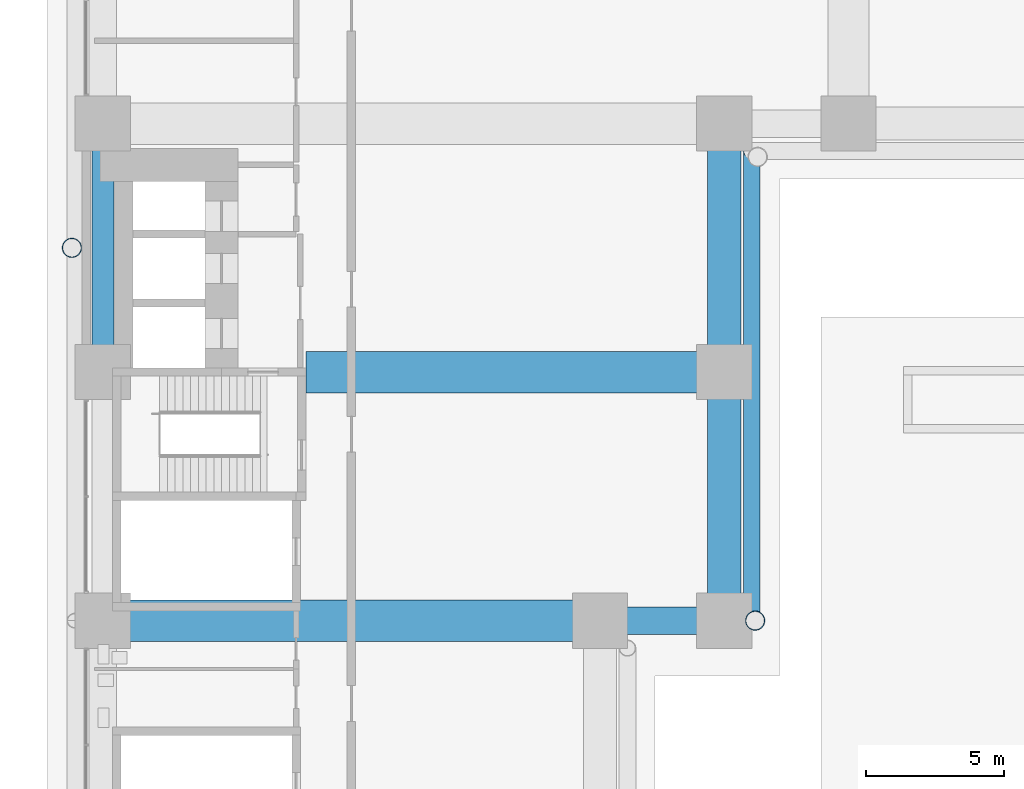
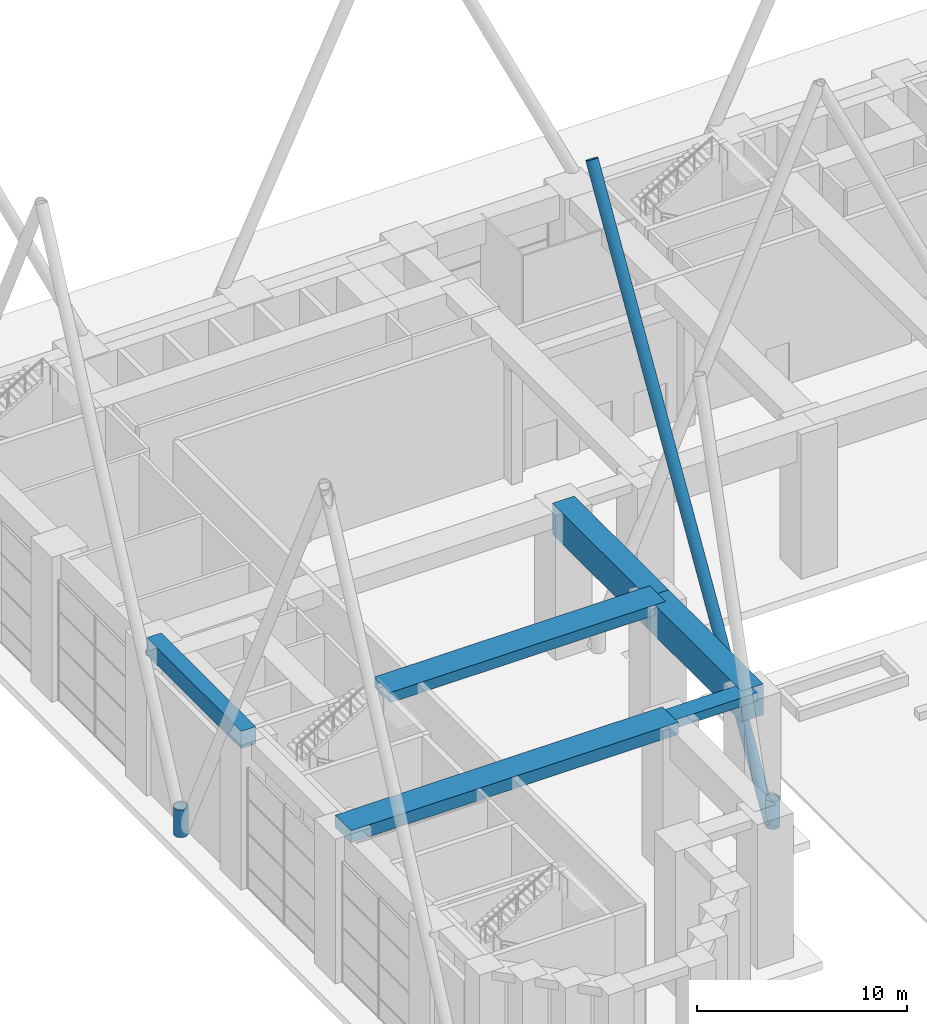
# One storey, part 6 of 44: 6 beams, 3 members.
"""IFC4 building model written with IfcOpenShell, lengths in metres."""

from ifc_helpers import new_model, si_unit, direction, frame, origin, origin_2d, place, context, subcontext, project, spatial, rectangle, hollow_circle, extrude, material, material_profile, profile_set, type_object, element, save


model = new_model("IFC4")

# Units and contexts
model_context = context("Model", 3, precision=1e-05, world=origin(), true_north=direction((0.0, 1.0)))
body_context = subcontext(model_context, "Body", "Model", "MODEL_VIEW")
ifc_project = project(units=[si_unit("LENGTHUNIT", "METRE"), si_unit("AREAUNIT", "SQUARE_METRE"), si_unit("VOLUMEUNIT", "CUBIC_METRE"), si_unit("PLANEANGLEUNIT", "RADIAN"), si_unit("MASSUNIT", "GRAM", prefix="KILO")], contexts=[model_context])

# Site, building, storey
site_placement = place(None, origin())
site = spatial("IfcSite", under=ifc_project, at=site_placement, CompositionType="ELEMENT")
building_placement = place(site_placement, origin())
building = spatial("IfcBuilding", under=site, at=building_placement, Name="Firuza Court", CompositionType="ELEMENT")
storey_placement = place(building_placement, origin())
storey = spatial("IfcBuildingStorey", under=building, at=storey_placement, Name="L00", CompositionType="ELEMENT", Elevation=0.0)

# Beams
ifc_material_1 = material(Name="Concrete C40/50", Category="concrete")
ifc_material_profile_1 = material_profile(ifc_material_1, rectangle(XDim=1.5, YDim=0.60009765625, at=origin_2d()), Name="RC 1500x600")
ifc_profile_set_1 = profile_set([ifc_material_profile_1], Name="Concrete C40/50")
beam_type_1 = type_object("IfcBeamType", Name="Band beam RC 1500x600 C40/50", PredefinedType="BEAM", material=ifc_profile_set_1)
beam_1_placement = place(storey_placement, frame((22.5, 27.0, 8.10009765625), z_axis=(-1.0, 0.0, 0.0), x_axis=(0.0, -1.0, 0.0)))
element("IfcBeam", 1, at=beam_1_placement, inside=storey, type_object=beam_type_1, Name="Band beam FB3 level L01", PredefinedType="BEAM", context=body_context, shape_type="SweptSolid", body=[
    extrude(rectangle(XDim=1.5, YDim=0.60009765625, at=origin_2d()), origin(), (0.0, 0.0, 1.0), 15.14990234375),
])
ifc_material_2 = material(Name="Concrete C40/50", Category="concrete")
ifc_material_profile_2 = material_profile(ifc_material_2, rectangle(XDim=1.5, YDim=0.699951171875, at=origin_2d()), Name="RC 1500x700")
ifc_profile_set_2 = profile_set([ifc_material_profile_2], Name="Concrete C40/50")
beam_type_2 = type_object("IfcBeamType", Name="Band beam RC 1500x700 C40/50", PredefinedType="BEAM", material=ifc_profile_set_2)
beam_2_placement = place(storey_placement, frame((0.0, 18.0, 8.050048828125), z_axis=(1.0, 0.0, 0.0), x_axis=(0.0, 1.0, 0.0)))
element("IfcBeam", 2, at=beam_2_placement, inside=storey, type_object=beam_type_2, Name="Band beam FB1 level L01", PredefinedType="BEAM", context=body_context, shape_type="SweptSolid", body=[
    extrude(rectangle(XDim=1.5, YDim=0.699951171875, at=origin_2d()), origin(), (0.0, 0.0, 1.0), 18.0),
])

# Members
ifc_material_3 = material(Name="Steel S355", Category="steel")
ifc_material_profile_3 = material_profile(ifc_material_3, hollow_circle(Radius=0.304931640625, WallThickness=0.02490234375, at=origin_2d()), Name="CHS 610x25")
ifc_profile_set_3 = profile_set([ifc_material_profile_3], Name="Steel S355")
member_type_1 = type_object("IfcMemberType", Name="Diagrid diagonal CHS 610x25 S355", PredefinedType="USERDEFINED", material=ifc_profile_set_3)
member_placement = place(storey_placement, frame((23.4951171875, 18.0, 0.1630859375), z_axis=(0.0, 0.51522549255, 0.857054660933), x_axis=(-1.0, 0.0, 0.0)))
element("IfcMember", 3, at=member_placement, inside=storey, type_object=member_type_1, Name="Diagrid diagonal L00 to L05", ObjectType="DIAGRID", PredefinedType="USERDEFINED", context=body_context, shape_type="SweptSolid", body=[
    extrude(hollow_circle(Radius=0.304931640625, WallThickness=0.02490234375, at=origin_2d()), origin(), (0.0, 0.0, 1.0), 33.004638671875),
])
ifc_material_4 = material(Name="Steel S355", Category="steel")
ifc_material_profile_4 = material_profile(ifc_material_4, hollow_circle(Radius=0.35546875, WallThickness=0.030029296875, at=origin_2d()), Name="CHS 711x30")
ifc_profile_set_4 = profile_set([ifc_material_profile_4], Name="Steel S355")
member_type_2 = type_object("IfcMemberType", Name="Diagrid node CHS 711x30 S355", PredefinedType="USERDEFINED", material=ifc_profile_set_4)
for number, where, z_axis, x_axis, name in (
    (4, (-1.1201171875, 31.5, 0.0), (0.0, 0.0, 1.0), (1.0, 0.0, 0.0), "Diagrid node level L00"),
    (5, (23.6201171875, 18.0, 0.0), (0.0, 0.0, 1.0), (1.0, 0.0, 0.0), "Diagrid node level L00"),
):
    element("IfcMember", number, at=place(storey_placement, frame(where, z_axis=z_axis, x_axis=x_axis)), inside=storey, type_object=member_type_2, Name=name, ObjectType="DIAGRID NODE", PredefinedType="USERDEFINED", context=body_context, shape_type="SweptSolid", body=[
        extrude(hollow_circle(Radius=0.35546875, WallThickness=0.030029296875, at=origin_2d()), origin(), (0.0, 0.0, 1.0), 1.60009765625),
    ])

# Beams
ifc_material_5 = material(Name="Concrete C40/50", Category="concrete")
ifc_material_profile_5 = material_profile(ifc_material_5, rectangle(XDim=1.0, YDim=0.5, at=origin_2d()), Name="RC 1000x500")
ifc_profile_set_5 = profile_set([ifc_material_profile_5], Name="Concrete C40/50")
beam_type_3 = type_object("IfcBeamType", Name="Spandrel beam RC 1000x500 C40/50", PredefinedType="BEAM", material=ifc_profile_set_5)
beam_3_placement = place(storey_placement, frame((18.0, 18.0, 8.14990234375), z_axis=(1.0, 0.0, 0.0), x_axis=(0.0, 1.0, 0.0)))
element("IfcBeam", 6, at=beam_3_placement, inside=storey, type_object=beam_type_3, Name="Spandrel beam SP7 level L01", PredefinedType="BEAM", context=body_context, shape_type="SweptSolid", body=[
    extrude(rectangle(XDim=1.0, YDim=0.5, at=origin_2d()), origin(), (0.0, 0.0, 1.0), 4.5),
])
ifc_material_6 = material(Name="Concrete C60/75", Category="concrete")
ifc_material_profile_6 = material_profile(ifc_material_6, rectangle(XDim=1.199951171875, YDim=1.800048828125, at=origin_2d()), Name="RC 1200x1800")
ifc_profile_set_6 = profile_set([ifc_material_profile_6], Name="Concrete C60/75")
beam_type_4 = type_object("IfcBeamType", Name="Transfer girder RC 1200x1800 C60/75", PredefinedType="USERDEFINED", material=ifc_profile_set_6)
for number, where, z_axis, x_axis, name in (
    (7, (22.5, 18.0, 7.5), (0.0, 1.0, 0.0), (-1.0, 0.0, 0.0), "Transfer girder TG3 level L01"),
    (8, (22.5, 27.0, 7.5), (0.0, 1.0, 0.0), (-1.0, 0.0, 0.0), "Transfer girder TG3 level L01"),
):
    element("IfcBeam", number, at=place(storey_placement, frame(where, z_axis=z_axis, x_axis=x_axis)), inside=storey, type_object=beam_type_4, Name=name, ObjectType="TRANSFER GIRDER", PredefinedType="USERDEFINED", context=body_context, shape_type="SweptSolid", body=[
        extrude(rectangle(XDim=1.199951171875, YDim=1.800048828125, at=origin_2d()), origin(), (0.0, 0.0, 1.0), 9.0),
    ])
ifc_material_7 = material(Name="Concrete C60/75", Category="concrete")
ifc_material_profile_7 = material_profile(ifc_material_7, rectangle(XDim=0.800048828125, YDim=1.0, at=origin_2d()), Name="RC 800x1000")
ifc_profile_set_7 = profile_set([ifc_material_profile_7], Name="Concrete C60/75")
beam_type_5 = type_object("IfcBeamType", Name="Transfer girder RC 800x1000 C60/75", PredefinedType="USERDEFINED", material=ifc_profile_set_7)
beam_4_placement = place(storey_placement, frame((0.0, 36.0, 7.89990234375), z_axis=(0.0, -1.0, 0.0), x_axis=(1.0, 0.0, 0.0)))
element("IfcBeam", 9, at=beam_4_placement, inside=storey, type_object=beam_type_5, Name="Transfer girder TG2 level L01", ObjectType="TRANSFER GIRDER", PredefinedType="USERDEFINED", context=body_context, shape_type="SweptSolid", body=[
    extrude(rectangle(XDim=0.800048828125, YDim=1.0, at=origin_2d()), origin(), (0.0, 0.0, 1.0), 9.0),
])

save(model, "model.ifc")
